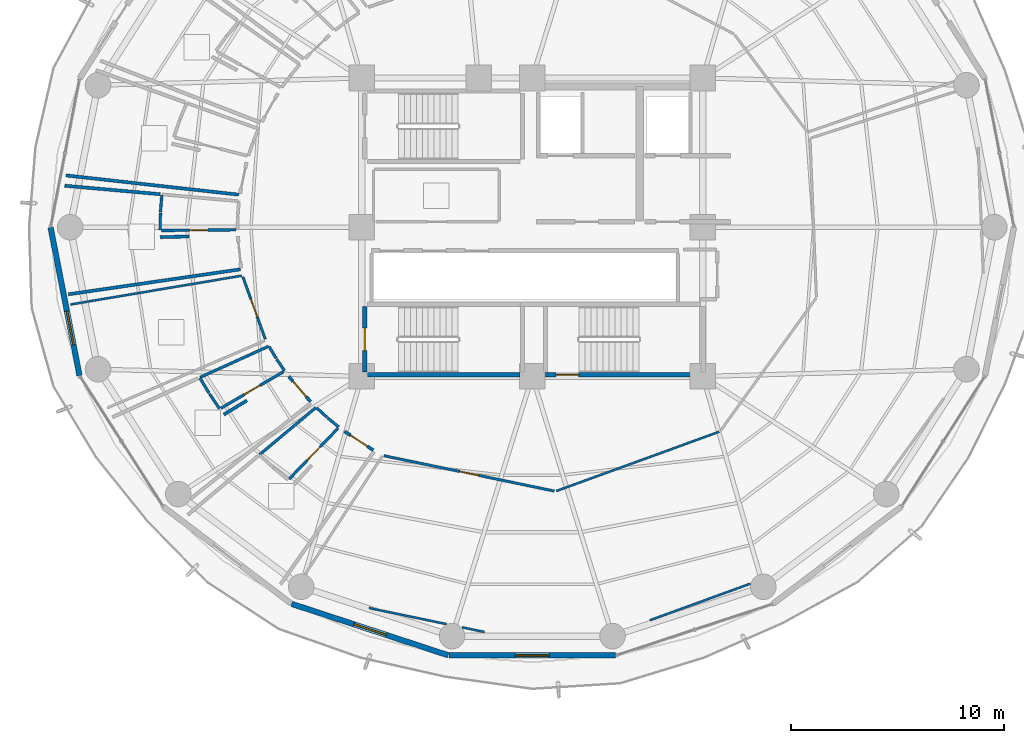
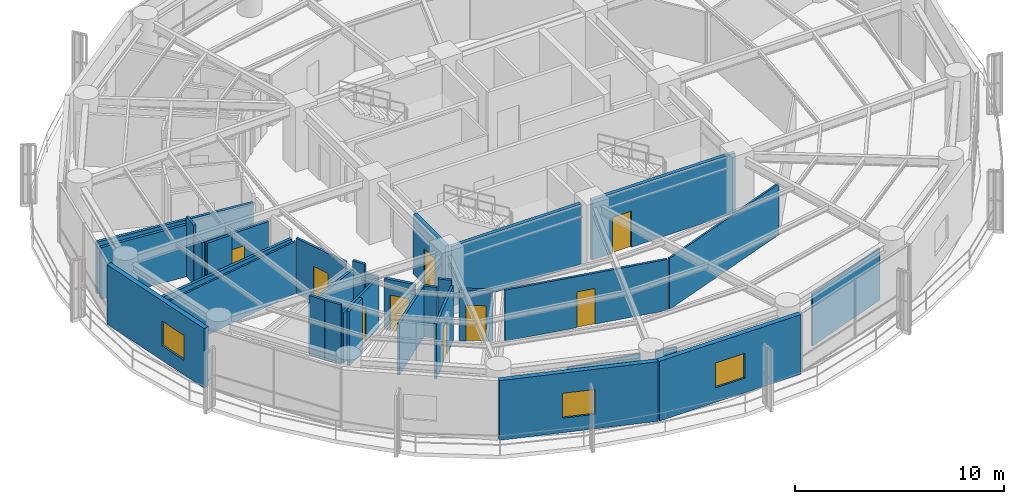
# One storey, part 21 of 27: 33 walls, 9 doors, 3 windows, 12 openings.
"""IFC4 building model written with IfcOpenShell, lengths in metres."""

import ifcopenshell
import ifcopenshell.guid

model = None  # the IFC model being written
_history = None  # IfcOwnerHistory: only IFC2X3 demands one
_inside = {}  # id of a spatial element -> (the spatial element, [elements in it])
_under = {}  # id of a project, library or spatial element -> (it, [spatial elements below it])
_declared = {}  # id of a project -> (the project, [libraries it declares])
_typed = {}  # id of a type object -> (the type object, [elements of that type])
_made_of = {}  # id of a material, layer set ... -> (it, [elements and type objects made of it])


def new_model(schema):
    """Start an empty IFC model of exactly this schema.

    Asked for "IFC4X3", IfcOpenShell would pick the latest addendum, in which some entities
    have other attributes; the version numbers below select the first issue.
    IFC2X3 requires an IfcOwnerHistory on every rooted entity: one is made here for all.
    """
    global model, _history
    if schema == "IFC4X3":
        model = ifcopenshell.file(schema_version=(4, 3, 0, 0))
    else:
        model = ifcopenshell.file(schema=schema)
    _inside.clear()
    _under.clear()
    _declared.clear()
    _typed.clear()
    _made_of.clear()
    _history = None
    if model.schema == "IFC2X3":
        org = make("IfcOrganization", Name="unknown")
        user = make(
            "IfcPersonAndOrganization",
            ThePerson=make("IfcPerson", FamilyName="unknown"),
            TheOrganization=org,
        )
        app = make(
            "IfcApplication",
            ApplicationDeveloper=org,
            Version="unknown",
            ApplicationFullName="unknown",
            ApplicationIdentifier="unknown",
        )
        _history = make(
            "IfcOwnerHistory",
            OwningUser=user,
            OwningApplication=app,
            ChangeAction="ADDED",
            CreationDate=0,
        )
    return model


def make(cls, **values):
    """One entity of the class cls with the attributes given. An attribute that is None is left unset."""
    return model.create_entity(
        cls, **{name: value for name, value in values.items() if value is not None}
    )


def rooted(cls, **values):
    """An entity with a GlobalId (a new one), such as an element, a storey or a relation."""
    return make(cls, GlobalId=ifcopenshell.guid.new(), OwnerHistory=_history, **values)


def si_unit(unit_type, name, prefix=None):
    """IfcSIUnit, for example si_unit("LENGTHUNIT", "METRE", prefix="MILLI")."""
    return make("IfcSIUnit", UnitType=unit_type, Prefix=prefix, Name=name)


def assignment(units):
    """IfcUnitAssignment: the units of a project."""
    return None if units is None else make("IfcUnitAssignment", Units=units)


def point(xyz):
    """IfcCartesianPoint."""
    return None if xyz is None else make("IfcCartesianPoint", Coordinates=xyz)


def direction(xyz):
    """IfcDirection."""
    return None if xyz is None else make("IfcDirection", DirectionRatios=xyz)


def frame(location, z_axis=None, x_axis=None):
    """IfcAxis2Placement3D, a coordinate frame: its origin and axes. An axis left out is left unset."""
    return make(
        "IfcAxis2Placement3D",
        Location=point(location),
        Axis=direction(z_axis),
        RefDirection=direction(x_axis),
    )


def frame_2d(location, x_axis=None):
    """IfcAxis2Placement2D, a coordinate frame in the plane: its origin and x axis."""
    return make(
        "IfcAxis2Placement2D", Location=point(location), RefDirection=direction(x_axis)
    )


def origin():
    """The frame at (0, 0, 0) with its axes left unset."""
    return frame((0.0, 0.0, 0.0))


def place(relative_to, where):
    """IfcLocalPlacement: puts the frame where relative to a parent placement (None: the world)."""
    return make(
        "IfcLocalPlacement", PlacementRelTo=relative_to, RelativePlacement=where
    )


def context(
    kind, dimensions, precision=None, world=None, true_north=None, identifier=None
):
    """IfcGeometricRepresentationContext, for example the 3D "Model" context."""
    return make(
        "IfcGeometricRepresentationContext",
        ContextIdentifier=identifier,
        ContextType=kind,
        CoordinateSpaceDimension=dimensions,
        Precision=precision,
        WorldCoordinateSystem=world,
        TrueNorth=true_north,
    )


def subcontext(parent, identifier, kind, view, scale=None):
    """IfcGeometricRepresentationSubContext, for example "Body" below "Model"."""
    return make(
        "IfcGeometricRepresentationSubContext",
        ContextIdentifier=identifier,
        ContextType=kind,
        ParentContext=parent,
        TargetScale=scale,
        TargetView=view,
    )


def project(units=None, contexts=None):
    """IfcProject with its units and contexts."""
    return rooted(
        "IfcProject",
        Name="project",
        RepresentationContexts=contexts,
        UnitsInContext=assignment(units),
    )


def spatial(cls, under=None, at=None, **own):
    """A site, building, storey or space (cls), placed at a placement, below another one or the project."""
    s = rooted(cls, ObjectPlacement=at, **own)
    if under is not None:
        _under.setdefault(under.id(), (under, []))[1].append(s)
    return s


def profile(cls, at=None, kind="AREA", **sizes):
    """A parametric profile (cls). Its sizes go by their IFC names, for example OverallWidth=200.0."""
    return make(cls, ProfileType=kind, Position=at, **sizes)


def rectangle(**sizes):
    """IfcRectangleProfileDef."""
    return profile("IfcRectangleProfileDef", **sizes)


def extrude(swept, where, along, depth):
    """IfcExtrudedAreaSolid: the profile swept, set in the frame where, extruded along a direction by depth."""
    return make(
        "IfcExtrudedAreaSolid",
        SweptArea=swept,
        Position=where,
        ExtrudedDirection=direction(along),
        Depth=depth,
    )


def shape(context_of_items, identifier, shape_type, items):
    """IfcShapeRepresentation: the items that make up one representation, for example the "Body"."""
    return make(
        "IfcShapeRepresentation",
        ContextOfItems=context_of_items,
        RepresentationIdentifier=identifier,
        RepresentationType=shape_type,
        Items=items,
    )


def material(Name=None, Category=None):
    """IfcMaterial."""
    return make("IfcMaterial", Name=Name, Category=Category)


def layer(
    of_material, thickness, ventilated=None, Name=None, Category=None, Priority=None
):
    """IfcMaterialLayer: one layer of a wall or slab, of a material (None: an air gap)."""
    return make(
        "IfcMaterialLayer",
        Material=of_material,
        LayerThickness=thickness,
        IsVentilated=ventilated,
        Name=Name,
        Category=Category,
        Priority=Priority,
    )


def layer_set(layers, Name=None):
    """IfcMaterialLayerSet."""
    return make("IfcMaterialLayerSet", MaterialLayers=layers, LayerSetName=Name)


def made_of(thing, what):
    """Note that an element or type object is made of a material, layer set ...; save() writes the relation."""
    if what is not None:
        _made_of.setdefault(what.id(), (what, []))[1].append(thing)
    return thing


def type_object(cls, material=None, **own):
    """A type object (cls), such as IfcWallType, which elements share."""
    return made_of(rooted(cls, **own), material)


def element(
    cls,
    number,
    at=None,
    inside=None,
    cuts=None,
    type_object=None,
    material=None,
    context=None,
    identifier="Body",
    shape_type=None,
    held_by="IfcProductDefinitionShape",
    body=None,
    shapes=None,
    **own,
):
    """One element of the class cls, such as IfcWall. Its Tag is "e" and its number.

    at: its placement. inside: the storey or other place that contains it. cuts: it is an
    opening in that element (IfcRelVoidsElement). A single representation is given by context,
    identifier, shape_type and body (its items); several are given by shapes. held_by: the class
    of the entity that holds the representations. save() writes the other relations.
    """
    e = rooted(cls, Tag="e%d" % number, ObjectPlacement=at, **own)
    if body is not None:
        shapes = [shape(context, identifier, shape_type, body)]
    if shapes is not None:
        e.Representation = make(held_by, Representations=shapes)
    if inside is not None:
        _inside.setdefault(inside.id(), (inside, []))[1].append(e)
    if cuts is not None:
        rooted(
            "IfcRelVoidsElement", RelatingBuildingElement=cuts, RelatedOpeningElement=e
        )
    if type_object is not None:
        _typed.setdefault(type_object.id(), (type_object, []))[1].append(e)
    return made_of(e, material)


def fill(opening, filler):
    """IfcRelFillsElement: the door or window that sits in an opening."""
    return rooted(
        "IfcRelFillsElement",
        RelatingOpeningElement=opening,
        RelatedBuildingElement=filler,
    )


def aggregate(whole, parts):
    """IfcRelAggregates: a whole, such as a stair, and the parts it consists of."""
    return rooted("IfcRelAggregates", RelatingObject=whole, RelatedObjects=parts)


def save(model, path):
    """Write the relations noted so far, then the file.

    IfcRelAggregates (storeys below a building ...), IfcRelContainedInSpatialStructure (elements
    in a storey), IfcRelDefinesByType, IfcRelAssociatesMaterial and IfcRelDeclares: one each for
    every whole, place, type object, material and project.
    """
    for whole, parts in _under.values():
        aggregate(whole, parts)
    for where, things in _inside.values():
        rooted(
            "IfcRelContainedInSpatialStructure",
            RelatedElements=things,
            RelatingStructure=where,
        )
    for kind, things in _typed.values():
        rooted("IfcRelDefinesByType", RelatedObjects=things, RelatingType=kind)
    for what, things in _made_of.values():
        rooted("IfcRelAssociatesMaterial", RelatedObjects=things, RelatingMaterial=what)
    for by, libraries in _declared.values():
        rooted("IfcRelDeclares", RelatingContext=by, RelatedDefinitions=libraries)
    model.write(path)


model = new_model("IFC4")

# Units and contexts
model_context = context("Model", 3, precision=1e-05, world=origin(), true_north=direction((0.0, 1.0)))
body_context = subcontext(model_context, "Body", "Model", "MODEL_VIEW")
ifc_project = project(units=[si_unit("LENGTHUNIT", "METRE"), si_unit("AREAUNIT", "SQUARE_METRE"), si_unit("VOLUMEUNIT", "CUBIC_METRE"), si_unit("PLANEANGLEUNIT", "RADIAN"), si_unit("MASSUNIT", "GRAM", prefix="KILO")], contexts=[model_context])

# Site, building, storey
site_placement = place(None, origin())
site = spatial("IfcSite", under=ifc_project, at=site_placement, CompositionType="ELEMENT")
building_placement = place(site_placement, origin())
building = spatial("IfcBuilding", under=site, at=building_placement, Name="Kelanora Arch Commons", CompositionType="ELEMENT")
storey_placement = place(building_placement, frame((0.0, 0.0, 173.10009765625)))
storey = spatial("IfcBuildingStorey", under=building, at=storey_placement, Name="L44", CompositionType="ELEMENT", Elevation=173.10009765625)

# Wall, opening, door
ifc_material_1 = material(Name="Autoclaved aerated concrete blockwork with fire plaster", Category="masonry")
ifc_layer_1 = layer(ifc_material_1, 0.14990234375)
ifc_layer_set_1 = layer_set([ifc_layer_1], Name="Autoclaved aerated concrete blockwork with fire plaster")
wall_type_1 = type_object("IfcWallType", Name="W-COMP-150", PredefinedType="PARTITIONING", material=ifc_layer_set_1)
wall_1_placement = place(storey_placement, frame((62.5771484375, 50.99853515625, 0.0), z_axis=(0.0, 0.0, 1.0), x_axis=(0.652725635782, -0.757594379859, 0.0)))
wall_1 = element("IfcWall", 1, at=wall_1_placement, inside=storey, type_object=wall_type_1, Name="Cluster Bedroom L44-06 Entry Partition", PredefinedType="PARTITIONING", context=body_context, shape_type="SweptSolid", body=[
    extrude(rectangle(XDim=1.557373046875, YDim=0.14990234375, at=frame_2d((0.77880859375, 0.0))), origin(), (0.0, 0.0, 1.0), 2.974853515625),
])
opening_1_placement = place(wall_1_placement, frame((0.303955078125, 0.0, 0.0)))
opening_1 = element("IfcOpeningElement", 2, at=opening_1_placement, cuts=wall_1, Name="Opening D-CLU1", PredefinedType="OPENING", context=body_context, shape_type="SweptSolid", body=[
    extrude(rectangle(XDim=0.949951171875, YDim=2.080078125, at=frame_2d((0.47509765625, 1.0400390625))), frame((0.0, 0.0849609375, 0.0), z_axis=(0.0, -1.0, 0.0), x_axis=(1.0, 0.0, 0.0)), (0.0, 0.0, 1.0), 0.169921875),
])
ifc_material_2 = material(Name="Solid-core acoustic timber cluster entry fire door", Category="wood")
door_type_1 = type_object("IfcDoorType", Name="D-CLU-95", OperationType="NOTDEFINED", PredefinedType="DOOR", material=ifc_material_2)
door_1_placement = place(opening_1_placement, origin())
door_1 = element("IfcDoor", 3, at=door_1_placement, inside=storey, type_object=door_type_1, Name="Cluster Bedroom L44-06 Door", OperationType="SINGLE_SWING_RIGHT", OverallHeight=2.080078125, OverallWidth=0.949951171875, PredefinedType="DOOR", context=body_context, shape_type="SweptSolid", body=[
    extrude(rectangle(XDim=0.949951171875, YDim=2.080078125, at=frame_2d((0.47509765625, 1.0400390625))), frame((0.0, 0.02490234375, 0.0), z_axis=(0.0, -1.0, 0.0), x_axis=(1.0, 0.0, 0.0)), (0.0, 0.0, 1.0), 0.050048828125),
])
fill(opening_1, door_1)

wall_2_placement = place(storey_placement, frame((65.1953125, 48.419189453125, 0.0), z_axis=(0.0, 0.0, 1.0), x_axis=(0.836324272787, -0.548235087118, 0.0)))
wall_2 = element("IfcWall", 4, at=wall_2_placement, inside=storey, type_object=wall_type_1, Name="Cluster Bedroom L44-07 Entry Partition", PredefinedType="PARTITIONING", context=body_context, shape_type="SweptSolid", body=[
    extrude(rectangle(XDim=1.607666015625, YDim=0.14990234375, at=frame_2d((0.8037109375, 0.0))), origin(), (0.0, 0.0, 1.0), 2.974853515625),
])
opening_2_placement = place(wall_2_placement, frame((0.3291015625, 0.0, 0.0)))
opening_2 = element("IfcOpeningElement", 5, at=opening_2_placement, cuts=wall_2, Name="Opening D-CLU1", PredefinedType="OPENING", context=body_context, shape_type="SweptSolid", body=[
    extrude(rectangle(XDim=0.949951171875, YDim=2.080078125, at=frame_2d((0.47509765625, 1.0400390625))), frame((0.0, 0.0849609375, 0.0), z_axis=(0.0, -1.0, 0.0), x_axis=(1.0, 0.0, 0.0)), (0.0, 0.0, 1.0), 0.169921875),
])
door_2_placement = place(opening_2_placement, origin())
door_2 = element("IfcDoor", 6, at=door_2_placement, inside=storey, type_object=door_type_1, Name="Cluster Bedroom L44-07 Door", OperationType="SINGLE_SWING_RIGHT", OverallHeight=2.080078125, OverallWidth=0.949951171875, PredefinedType="DOOR", context=body_context, shape_type="SweptSolid", body=[
    extrude(rectangle(XDim=0.949951171875, YDim=2.080078125, at=frame_2d((0.47509765625, 1.0400390625))), frame((0.0, 0.02490234375, 0.0), z_axis=(0.0, -1.0, 0.0), x_axis=(1.0, 0.0, 0.0)), (0.0, 0.0, 1.0), 0.050048828125),
])
fill(opening_2, door_2)

# Walls
wall_3_placement = place(storey_placement, frame((60.234130859375, 59.525390625, 0.0), z_axis=(0.0, 0.0, 1.0), x_axis=(-0.99385157858, 0.110720548017, 0.0)))
element("IfcWall", 7, at=wall_3_placement, inside=storey, type_object=wall_type_1, Name="Cluster Bedroom L44-03 Enclosure Partition 2", PredefinedType="PARTITIONING", context=body_context, shape_type="SweptSolid", body=[
    extrude(rectangle(XDim=8.158447265625, YDim=0.14990234375, at=frame_2d((4.0791015625, 0.0))), origin(), (0.0, 0.0, 1.0), 3.02490234375),
])
wall_4_placement = place(storey_placement, frame((60.305419921875, 56.022216796875, 0.0), z_axis=(0.0, 0.0, 1.0), x_axis=(-0.989635565405, -0.143601698061, 0.0)))
element("IfcWall", 8, at=wall_4_placement, inside=storey, type_object=wall_type_1, Name="Cluster Bedroom L44-04 Enclosure Partition 2", PredefinedType="PARTITIONING", context=body_context, shape_type="SweptSolid", body=[
    extrude(rectangle(XDim=8.150390625, YDim=0.14990234375, at=frame_2d((4.0751953125, 0.0))), origin(), (0.0, 0.0, 1.0), 3.02490234375),
])
wall_5_placement = place(storey_placement, frame((52.06591796875, 59.946533203125, 0.0), z_axis=(0.0, 0.0, 1.0), x_axis=(0.996054097512, -0.088748153952, 0.0)))
element("IfcWall", 9, at=wall_5_placement, inside=storey, type_object=wall_type_1, Name="Cluster Bedroom L44-04 Enclosure Partition 5", PredefinedType="PARTITIONING", context=body_context, shape_type="SweptSolid", body=[
    extrude(rectangle(XDim=4.4951171875, YDim=0.14990234375, at=frame_2d((2.24755859375, 0.0))), origin(), (0.0, 0.0, 1.0), 3.02490234375),
])
wall_6_placement = place(storey_placement, frame((56.547119140625, 57.530029296875, 0.0), z_axis=(0.0, 0.0, 1.0), x_axis=(0.999637471643, 0.026924436601, 0.0)))
element("IfcWall", 10, at=wall_6_placement, inside=storey, type_object=wall_type_1, Name="Cluster Bedroom L44-04 Enclosure Partition 7", PredefinedType="PARTITIONING", context=body_context, shape_type="SweptSolid", body=[
    extrude(rectangle(XDim=1.35107421875, YDim=0.14990234375, at=frame_2d((0.675537109375, 0.0))), origin(), (0.0, 0.0, 1.0), 3.1748046875),
])
wall_7_placement = place(storey_placement, frame((59.5302734375, 49.209716796875, 0.0), z_axis=(0.0, 0.0, 1.0), x_axis=(0.853704464487, 0.520757801012, 0.0)))
element("IfcWall", 11, at=wall_7_placement, inside=storey, type_object=wall_type_1, Name="Cluster Bedroom L44-06 Enclosure Partition 7", PredefinedType="PARTITIONING", context=body_context, shape_type="SweptSolid", body=[
    extrude(rectangle(XDim=1.27001953125, YDim=0.14990234375, at=frame_2d((0.635009765625, 0.0))), origin(), (0.0, 0.0, 1.0), 3.1748046875),
])

# Wall, opening, window
ifc_material_3 = material(Name="Precast concrete C40/50 with terracotta rainscreen", Category="masonry")
ifc_layer_2 = layer(ifc_material_3, 0.260009765625)
ifc_layer_set_2 = layer_set([ifc_layer_2], Name="Precast concrete C40/50 with terracotta rainscreen")
wall_type_2 = type_object("IfcWallType", Name="W-EXT-TC", PredefinedType="SOLIDWALL", material=ifc_layer_set_2)
wall_8_placement = place(storey_placement, frame((51.40283203125, 57.9853515625, 0.0), z_axis=(0.0, 0.0, 1.0), x_axis=(0.191716984769, -0.981450252306, 0.0)))
wall_8 = element("IfcWall", 12, at=wall_8_placement, inside=storey, type_object=wall_type_2, Name="Terracotta Exterior Wall L44-B09", PredefinedType="SOLIDWALL", context=body_context, shape_type="SweptSolid", body=[
    extrude(rectangle(XDim=7.0791015625, YDim=0.260009765625, at=frame_2d((3.53955078125, 0.0))), origin(), (0.0, 0.0, 1.0), 3.474853515625),
])
opening_3_placement = place(wall_8_placement, frame((4.0, 0.0, 0.85009765625)))
opening_3 = element("IfcOpeningElement", 13, at=opening_3_placement, cuts=wall_8, Name="Opening WN-01", PredefinedType="OPENING", context=body_context, shape_type="SweptSolid", body=[
    extrude(rectangle(XDim=1.60009765625, YDim=1.449951171875, at=frame_2d((0.800048828125, 0.72509765625))), frame((0.0, 0.14013671875, 0.0), z_axis=(0.0, -1.0, 0.0), x_axis=(1.0, 0.0, 0.0)), (0.0, 0.0, 1.0), 0.280029296875),
])
ifc_material_4 = material(Name="Terracotta-anodised aluminium frame with operable low-E glazing", Category="masonry")
window_type = type_object("IfcWindowType", Name="WIN-CL-18", PartitioningType="DOUBLE_PANEL_VERTICAL", PredefinedType="WINDOW", material=ifc_material_4)
window_1_placement = place(opening_3_placement, origin())
window_1 = element("IfcWindow", 14, at=window_1_placement, inside=storey, type_object=window_type, Name="Co-Living Operable Window L44-B09", OverallHeight=1.449951171875, OverallWidth=1.60009765625, PartitioningType="SINGLE_PANEL", PredefinedType="WINDOW", context=body_context, shape_type="SweptSolid", body=[
    extrude(rectangle(XDim=1.60009765625, YDim=1.449951171875, at=frame_2d((0.800048828125, 0.72509765625))), frame((0.0, 0.030029296875, 0.0), z_axis=(0.0, -1.0, 0.0), x_axis=(1.0, 0.0, 0.0)), (0.0, 0.0, 1.0), 0.06005859375),
])
fill(opening_3, window_1)

wall_9_placement = place(storey_placement, frame((62.71435546875, 40.328369140625, 0.0), z_axis=(0.0, 0.0, 1.0), x_axis=(0.950038302428, -0.312133343173, 0.0)))
wall_9 = element("IfcWall", 15, at=wall_9_placement, inside=storey, type_object=wall_type_2, Name="Terracotta Exterior Wall L44-B12", PredefinedType="SOLIDWALL", context=body_context, shape_type="SweptSolid", body=[
    extrude(rectangle(XDim=7.7333984375, YDim=0.260009765625, at=frame_2d((3.86669921875, 0.0))), origin(), (0.0, 0.0, 1.0), 3.474853515625),
])
opening_4_placement = place(wall_9_placement, frame((3.06689453125, 0.0, 0.85009765625)))
opening_4 = element("IfcOpeningElement", 16, at=opening_4_placement, cuts=wall_9, Name="Opening WN-01", PredefinedType="OPENING", context=body_context, shape_type="SweptSolid", body=[
    extrude(rectangle(XDim=1.60009765625, YDim=1.449951171875, at=frame_2d((0.800048828125, 0.72509765625))), frame((0.0, 0.14013671875, 0.0), z_axis=(0.0, -1.0, 0.0), x_axis=(1.0, 0.0, 0.0)), (0.0, 0.0, 1.0), 0.280029296875),
])
window_2_placement = place(opening_4_placement, origin())
window_2 = element("IfcWindow", 17, at=window_2_placement, inside=storey, type_object=window_type, Name="Co-Living Operable Window L44-B12", OverallHeight=1.449951171875, OverallWidth=1.60009765625, PartitioningType="SINGLE_PANEL", PredefinedType="WINDOW", context=body_context, shape_type="SweptSolid", body=[
    extrude(rectangle(XDim=1.60009765625, YDim=1.449951171875, at=frame_2d((0.800048828125, 0.72509765625))), frame((0.0, 0.030029296875, 0.0), z_axis=(0.0, -1.0, 0.0), x_axis=(1.0, 0.0, 0.0)), (0.0, 0.0, 1.0), 0.06005859375),
])
fill(opening_4, window_2)

wall_10_placement = place(storey_placement, frame((70.090576171875, 37.909912109375, 0.0), z_axis=(0.0, 0.0, 1.0), x_axis=(1.0, 0.0, 0.0)))
wall_10 = element("IfcWall", 18, at=wall_10_placement, inside=storey, type_object=wall_type_2, Name="Terracotta Exterior Wall L44-B13", PredefinedType="SOLIDWALL", context=body_context, shape_type="SweptSolid", body=[
    extrude(rectangle(XDim=7.81884765625, YDim=0.260009765625, at=frame_2d((3.909423828125, 0.0))), origin(), (0.0, 0.0, 1.0), 3.474853515625),
])
opening_5_placement = place(wall_10_placement, frame((3.10888671875, 0.0, 0.85009765625)))
opening_5 = element("IfcOpeningElement", 19, at=opening_5_placement, cuts=wall_10, Name="Opening WN-01", PredefinedType="OPENING", context=body_context, shape_type="SweptSolid", body=[
    extrude(rectangle(XDim=1.60009765625, YDim=1.449951171875, at=frame_2d((0.800048828125, 0.72509765625))), frame((0.0, 0.14013671875, 0.0), z_axis=(0.0, -1.0, 0.0), x_axis=(1.0, 0.0, 0.0)), (0.0, 0.0, 1.0), 0.280029296875),
])
window_3_placement = place(opening_5_placement, origin())
window_3 = element("IfcWindow", 20, at=window_3_placement, inside=storey, type_object=window_type, Name="Co-Living Operable Window L44-B13", OverallHeight=1.449951171875, OverallWidth=1.60009765625, PartitioningType="SINGLE_PANEL", PredefinedType="WINDOW", context=body_context, shape_type="SweptSolid", body=[
    extrude(rectangle(XDim=1.60009765625, YDim=1.449951171875, at=frame_2d((0.800048828125, 0.72509765625))), frame((0.0, 0.030029296875, 0.0), z_axis=(0.0, -1.0, 0.0), x_axis=(1.0, 0.0, 0.0)), (0.0, 0.0, 1.0), 0.06005859375),
])
fill(opening_5, window_3)

# Walls
ifc_material_5 = material(Name="Lightweight fire-rated acoustic stud partition")
ifc_layer_3 = layer(ifc_material_5, 0.10009765625)
ifc_layer_set_3 = layer_set([ifc_layer_3], Name="Lightweight fire-rated acoustic stud partition")
wall_type_3 = type_object("IfcWallType", Name="W-PART-100", PredefinedType="PARTITIONING", material=ifc_layer_set_3)
wall_11_placement = place(storey_placement, frame((75.128662109375, 45.622802734375, 0.0), z_axis=(0.0, 0.0, 1.0), x_axis=(0.939734662541, 0.341904612458, 0.0)))
element("IfcWall", 21, at=wall_11_placement, inside=storey, type_object=wall_type_3, Name="South-East Shared Study Commons L44 Enclosure Partition 2", PredefinedType="PARTITIONING", context=body_context, shape_type="SweptSolid", body=[
    extrude(rectangle(XDim=8.129638671875, YDim=0.10009765625, at=frame_2d((4.06494140625, 0.0))), origin(), (0.0, 0.0, 1.0), 2.974853515625),
])
wall_12_placement = place(storey_placement, frame((84.232421875, 41.2763671875, 0.0), z_axis=(0.0, 0.0, 1.0), x_axis=(-0.939540154598, -0.34243875058, 0.0)))
element("IfcWall", 22, at=wall_12_placement, inside=storey, type_object=wall_type_3, Name="South-East Shared Study Commons L44 Enclosure Partition 8", PredefinedType="PARTITIONING", context=body_context, shape_type="SweptSolid", body=[
    extrude(rectangle(XDim=5.014892578125, YDim=0.10009765625, at=frame_2d((2.50732421875, 0.0))), origin(), (0.0, 0.0, 1.0), 3.02490234375),
])
wall_13_placement = place(storey_placement, frame((71.762939453125, 39.00830078125, 0.0), z_axis=(0.0, 0.0, 1.0), x_axis=(-0.9791024376, 0.203367688401, 0.0)))
element("IfcWall", 23, at=wall_13_placement, inside=storey, type_object=wall_type_3, Name="South-East Shared Study Commons L44 Enclosure Partition 9", PredefinedType="PARTITIONING", context=body_context, shape_type="SweptSolid", body=[
    extrude(rectangle(XDim=1.080322265625, YDim=0.10009765625, at=frame_2d((0.5400390625, 0.0))), origin(), (0.0, 0.0, 1.0), 3.02490234375),
])
wall_14_placement = place(storey_placement, frame((69.968505859375, 39.381103515625, 0.0), z_axis=(0.0, 0.0, 1.0), x_axis=(-0.979112814655, 0.203317722241, 0.0)))
element("IfcWall", 24, at=wall_14_placement, inside=storey, type_object=wall_type_3, Name="South-East Shared Study Commons L44 Enclosure Partition 9", PredefinedType="PARTITIONING", context=body_context, shape_type="SweptSolid", body=[
    extrude(rectangle(XDim=3.706787109375, YDim=0.10009765625, at=frame_2d((1.853515625, 0.0))), origin(), (0.0, 0.0, 1.0), 3.02490234375),
])
wall_15_placement = place(storey_placement, frame((52.331298828125, 54.37353515625, 0.0), z_axis=(0.0, 0.0, 1.0), x_axis=(0.986190638786, 0.165614081438, 0.0)))
element("IfcWall", 25, at=wall_15_placement, inside=storey, type_object=wall_type_3, Name="Shared Cluster Kitchen L44-05 Enclosure Partition 4", PredefinedType="PARTITIONING", context=body_context, shape_type="SweptSolid", body=[
    extrude(rectangle(XDim=8.144775390625, YDim=0.10009765625, at=frame_2d((4.072265625, 0.0))), origin(), (0.0, 0.0, 1.0), 3.02490234375),
])

# Wall, opening, door
ifc_material_6 = material(Name="Acoustic twin-stud fire-rated gypsum partition")
ifc_layer_4 = layer(ifc_material_6, 0.1201171875)
ifc_layer_set_4 = layer_set([ifc_layer_4], Name="Acoustic twin-stud fire-rated gypsum partition")
wall_type_4 = type_object("IfcWallType", Name="W-PART-120", PredefinedType="PARTITIONING", material=ifc_layer_set_4)
wall_16_placement = place(storey_placement, frame((67.039794921875, 47.27783203125, 0.0), z_axis=(0.0, 0.0, 1.0), x_axis=(0.979184226645, -0.202973521154, 0.0)))
wall_16 = element("IfcWall", 26, at=wall_16_placement, inside=storey, type_object=wall_type_4, Name="South-East Shared Study Commons L44 Entry Partition", PredefinedType="PARTITIONING", context=body_context, shape_type="SweptSolid", body=[
    extrude(rectangle(XDim=8.162353515625, YDim=0.1201171875, at=frame_2d((4.0810546875, 0.0))), origin(), (0.0, 0.0, 1.0), 2.974853515625),
])
opening_6_placement = place(wall_16_placement, frame((3.631103515625, 0.0, 0.0)))
opening_6 = element("IfcOpeningElement", 27, at=opening_6_placement, cuts=wall_16, Name="Opening D-RM1", PredefinedType="OPENING", context=body_context, shape_type="SweptSolid", body=[
    extrude(rectangle(XDim=0.89990234375, YDim=2.080078125, at=frame_2d((0.449951171875, 1.0400390625))), frame((0.0, 0.070068359375, 0.0), z_axis=(0.0, -1.0, 0.0), x_axis=(1.0, 0.0, 0.0)), (0.0, 0.0, 1.0), 0.14013671875),
])
ifc_material_7 = material(Name="Acoustic fire-rated timber study and lounge door", Category="wood")
door_type_2 = type_object("IfcDoorType", Name="D-ROOM-90", OperationType="NOTDEFINED", PredefinedType="DOOR", material=ifc_material_7)
door_3_placement = place(opening_6_placement, origin())
door_3 = element("IfcDoor", 28, at=door_3_placement, inside=storey, type_object=door_type_2, Name="South-East Shared Study Commons L44 Door", OperationType="SINGLE_SWING_RIGHT", OverallHeight=2.080078125, OverallWidth=0.89990234375, PredefinedType="DOOR", context=body_context, shape_type="SweptSolid", body=[
    extrude(rectangle(XDim=0.89990234375, YDim=2.080078125, at=frame_2d((0.449951171875, 1.0400390625))), frame((0.0, 0.02490234375, 0.0), z_axis=(0.0, -1.0, 0.0), x_axis=(1.0, 0.0, 0.0)), (0.0, 0.0, 1.0), 0.050048828125),
])
fill(opening_6, door_3)

wall_17_placement = place(storey_placement, frame((60.42333984375, 55.672607421875, 0.0), z_axis=(0.0, 0.0, 1.0), x_axis=(0.338221551274, -0.941066513193, 0.0)))
wall_17 = element("IfcWall", 29, at=wall_17_placement, inside=storey, type_object=wall_type_4, Name="Shared Cluster Kitchen L44-05 Entry Partition", PredefinedType="PARTITIONING", context=body_context, shape_type="SweptSolid", body=[
    extrude(rectangle(XDim=3.108154296875, YDim=0.1201171875, at=frame_2d((1.55419921875, 0.0))), origin(), (0.0, 0.0, 1.0), 3.23486328125),
])
opening_7_placement = place(wall_17_placement, frame((1.10400390625, 0.0, 0.0)))
opening_7 = element("IfcOpeningElement", 30, at=opening_7_placement, cuts=wall_17, Name="Opening D-RM1", PredefinedType="OPENING", context=body_context, shape_type="SweptSolid", body=[
    extrude(rectangle(XDim=0.89990234375, YDim=2.080078125, at=frame_2d((0.449951171875, 1.0400390625))), frame((0.0, 0.070068359375, 0.0), z_axis=(0.0, -1.0, 0.0), x_axis=(1.0, 0.0, 0.0)), (0.0, 0.0, 1.0), 0.14013671875),
])
door_4_placement = place(opening_7_placement, origin())
door_4 = element("IfcDoor", 31, at=door_4_placement, inside=storey, type_object=door_type_2, Name="Shared Cluster Kitchen L44-05 Door", OperationType="SINGLE_SWING_RIGHT", OverallHeight=2.080078125, OverallWidth=0.89990234375, PredefinedType="DOOR", context=body_context, shape_type="SweptSolid", body=[
    extrude(rectangle(XDim=0.89990234375, YDim=2.080078125, at=frame_2d((0.449951171875, 1.0400390625))), frame((0.0, 0.02490234375, 0.0), z_axis=(0.0, -1.0, 0.0), x_axis=(1.0, 0.0, 0.0)), (0.0, 0.0, 1.0), 0.050048828125),
])
fill(opening_7, door_4)

ifc_material_8 = material(Name="Concrete C40/50", Category="concrete")
ifc_layer_5 = layer(ifc_material_8, 0.199951171875)
ifc_layer_set_5 = layer_set([ifc_layer_5], Name="Concrete C40/50")
wall_type_5 = type_object("IfcWallType", Name="W-STAIR-200", PredefinedType="SHEAR", material=ifc_layer_set_5)
wall_18_placement = place(storey_placement, frame((74.0, 51.080078125, 0.0), z_axis=(0.0, 0.0, 1.0), x_axis=(1.0, 0.0, 0.0)))
wall_18 = element("IfcWall", 32, at=wall_18_placement, inside=storey, type_object=wall_type_5, Name="Stair ST-T2 Shaft Wall S L44", PredefinedType="SHEAR", context=body_context, shape_type="SweptSolid", body=[
    extrude(rectangle(XDim=7.89990234375, YDim=0.199951171875, at=frame_2d((3.949951171875, 0.0))), origin(), (0.0, 0.0, 1.0), 3.489990234375),
])
opening_8_placement = place(wall_18_placement, frame((1.1201171875, 0.0, 0.0)))
opening_8 = element("IfcOpeningElement", 33, at=opening_8_placement, cuts=wall_18, Name="Opening D-ST1", PredefinedType="OPENING", context=body_context, shape_type="SweptSolid", body=[
    extrude(rectangle(XDim=1.050048828125, YDim=2.10009765625, at=frame_2d((0.52490234375, 1.050048828125))), frame((0.0, 0.10986328125, 0.0), z_axis=(0.0, -1.0, 0.0), x_axis=(1.0, 0.0, 0.0)), (0.0, 0.0, 1.0), 0.219970703125),
])
ifc_material_9 = material(Name="Steel fire-rated stairwell escape door", Category="steel")
door_type_3 = type_object("IfcDoorType", Name="D-STAIR-110", OperationType="NOTDEFINED", PredefinedType="DOOR", material=ifc_material_9)
door_5_placement = place(opening_8_placement, origin())
door_5 = element("IfcDoor", 34, at=door_5_placement, inside=storey, type_object=door_type_3, Name="Stair ST-T2 Escape Door L44", OperationType="SINGLE_SWING_LEFT", OverallHeight=2.10009765625, OverallWidth=1.050048828125, PredefinedType="DOOR", context=body_context, shape_type="SweptSolid", body=[
    extrude(rectangle(XDim=1.050048828125, YDim=2.10009765625, at=frame_2d((0.52490234375, 1.050048828125))), frame((0.0, 0.02490234375, 0.0), z_axis=(0.0, -1.0, 0.0), x_axis=(1.0, 0.0, 0.0)), (0.0, 0.0, 1.0), 0.050048828125),
])
fill(opening_8, door_5)

# Wall
wall_19_placement = place(storey_placement, frame((66.260009765625, 51.080078125, 0.0), z_axis=(0.0, 0.0, 1.0), x_axis=(1.0, 0.0, 0.0)))
element("IfcWall", 35, at=wall_19_placement, inside=storey, type_object=wall_type_5, Name="Stair ST-T3 Shaft Wall S L44", PredefinedType="SHEAR", context=body_context, shape_type="SweptSolid", body=[
    extrude(rectangle(XDim=7.159912109375, YDim=0.199951171875, at=frame_2d((3.580078125, 0.0))), origin(), (0.0, 0.0, 1.0), 3.489990234375),
])

# Wall, opening, door
wall_20_placement = place(storey_placement, frame((66.139892578125, 54.27001953125, 0.0), z_axis=(0.0, 0.0, 1.0), x_axis=(0.0, -1.0, 0.0)))
wall_20 = element("IfcWall", 36, at=wall_20_placement, inside=storey, type_object=wall_type_5, Name="Stair ST-T3 Shaft Wall W L44", PredefinedType="SHEAR", context=body_context, shape_type="SweptSolid", body=[
    extrude(rectangle(XDim=3.070068359375, YDim=0.199951171875, at=frame_2d((1.53515625, 0.0))), origin(), (0.0, 0.0, 1.0), 3.489990234375),
])
opening_9_placement = place(wall_20_placement, frame((1.010009765625, 0.0, 0.0)))
opening_9 = element("IfcOpeningElement", 37, at=opening_9_placement, cuts=wall_20, Name="Opening D-ST1", PredefinedType="OPENING", context=body_context, shape_type="SweptSolid", body=[
    extrude(rectangle(XDim=1.050048828125, YDim=2.10009765625, at=frame_2d((0.52490234375, 1.050048828125))), frame((0.0, 0.10986328125, 0.0), z_axis=(0.0, -1.0, 0.0), x_axis=(1.0, 0.0, 0.0)), (0.0, 0.0, 1.0), 0.219970703125),
])
door_6_placement = place(opening_9_placement, origin())
door_6 = element("IfcDoor", 38, at=door_6_placement, inside=storey, type_object=door_type_3, Name="Stair ST-T3 Escape Door L44", OperationType="SINGLE_SWING_LEFT", OverallHeight=2.10009765625, OverallWidth=1.050048828125, PredefinedType="DOOR", context=body_context, shape_type="SweptSolid", body=[
    extrude(rectangle(XDim=1.050048828125, YDim=2.10009765625, at=frame_2d((0.52490234375, 1.050048828125))), frame((0.0, 0.02490234375, 0.0), z_axis=(0.0, -1.0, 0.0), x_axis=(1.0, 0.0, 0.0)), (0.0, 0.0, 1.0), 0.050048828125),
])
fill(opening_9, door_6)

ifc_material_10 = material(Name="Moisture-resistant fire-rated cement-board plumbing wall")
ifc_layer_6 = layer(ifc_material_10, 0.1298828125)
ifc_layer_set_6 = layer_set([ifc_layer_6], Name="Moisture-resistant fire-rated cement-board plumbing wall")
wall_type_6 = type_object("IfcWallType", Name="W-WET-120", PredefinedType="PLUMBINGWALL", material=ifc_layer_set_6)
wall_21_placement = place(storey_placement, frame((60.111083984375, 57.87744140625, 0.0), z_axis=(0.0, 0.0, 1.0), x_axis=(-0.999958513443, -0.009108863449, 0.0)))
wall_21 = element("IfcWall", 39, at=wall_21_placement, inside=storey, type_object=wall_type_6, Name="En-Suite Shower WC L44-04 Entry Partition", PredefinedType="PLUMBINGWALL", context=body_context, shape_type="SweptSolid", body=[
    extrude(rectangle(XDim=3.51123046875, YDim=0.1298828125, at=frame_2d((1.755615234375, 0.0))), origin(), (0.0, 0.0, 1.0), 2.974853515625),
])
opening_10_placement = place(wall_21_placement, frame((1.325927734375, 0.0, 0.0)))
opening_10 = element("IfcOpeningElement", 40, at=opening_10_placement, cuts=wall_21, Name="Opening D-BT1", PredefinedType="OPENING", context=body_context, shape_type="SweptSolid", body=[
    extrude(rectangle(XDim=0.860107421875, YDim=2.050048828125, at=frame_2d((0.43017578125, 1.02490234375))), frame((0.0, 0.074951171875, 0.0), z_axis=(0.0, -1.0, 0.0), x_axis=(1.0, 0.0, 0.0)), (0.0, 0.0, 1.0), 0.14990234375),
])
ifc_material_11 = material(Name="Moisture-sealed fire-rated accessible bathroom door")
door_type_4 = type_object("IfcDoorType", Name="D-BATH-85", OperationType="NOTDEFINED", PredefinedType="DOOR", material=ifc_material_11)
door_7_placement = place(opening_10_placement, origin())
door_7 = element("IfcDoor", 41, at=door_7_placement, inside=storey, type_object=door_type_4, Name="En-Suite Shower WC L44-04 Door", OperationType="SINGLE_SWING_RIGHT", OverallHeight=2.050048828125, OverallWidth=0.860107421875, PredefinedType="DOOR", context=body_context, shape_type="SweptSolid", body=[
    extrude(rectangle(XDim=0.860107421875, YDim=2.050048828125, at=frame_2d((0.43017578125, 1.02490234375))), frame((0.0, 0.02490234375, 0.0), z_axis=(0.0, -1.0, 0.0), x_axis=(1.0, 0.0, 0.0)), (0.0, 0.0, 1.0), 0.050048828125),
])
fill(opening_10, door_7)

wall_22_placement = place(storey_placement, frame((62.333251953125, 51.2216796875, 0.0), z_axis=(0.0, 0.0, 1.0), x_axis=(-0.863869779697, -0.503715201008, 0.0)))
wall_22 = element("IfcWall", 42, at=wall_22_placement, inside=storey, type_object=wall_type_6, Name="En-Suite Shower WC L44-06 Entry Partition", PredefinedType="PLUMBINGWALL", context=body_context, shape_type="SweptSolid", body=[
    extrude(rectangle(XDim=3.40966796875, YDim=0.1298828125, at=frame_2d((1.704833984375, 0.0))), origin(), (0.0, 0.0, 1.0), 2.974853515625),
])
opening_11_placement = place(wall_22_placement, frame((1.27490234375, 0.0, 0.0)))
opening_11 = element("IfcOpeningElement", 43, at=opening_11_placement, cuts=wall_22, Name="Opening D-BT1", PredefinedType="OPENING", context=body_context, shape_type="SweptSolid", body=[
    extrude(rectangle(XDim=0.860107421875, YDim=2.050048828125, at=frame_2d((0.43017578125, 1.02490234375))), frame((0.0, 0.074951171875, 0.0), z_axis=(0.0, -1.0, 0.0), x_axis=(1.0, 0.0, 0.0)), (0.0, 0.0, 1.0), 0.14990234375),
])
door_8_placement = place(opening_11_placement, origin())
door_8 = element("IfcDoor", 44, at=door_8_placement, inside=storey, type_object=door_type_4, Name="En-Suite Shower WC L44-06 Door", OperationType="SINGLE_SWING_LEFT", OverallHeight=2.050048828125, OverallWidth=0.860107421875, PredefinedType="DOOR", context=body_context, shape_type="SweptSolid", body=[
    extrude(rectangle(XDim=0.860107421875, YDim=2.050048828125, at=frame_2d((0.43017578125, 1.02490234375))), frame((0.0, 0.02490234375, 0.0), z_axis=(0.0, -1.0, 0.0), x_axis=(1.0, 0.0, 0.0)), (0.0, 0.0, 1.0), 0.050048828125),
])
fill(opening_11, door_8)

wall_23_placement = place(storey_placement, frame((64.891357421875, 48.57080078125, 0.0), z_axis=(0.0, 0.0, 1.0), x_axis=(-0.69341503006, -0.720538407086, 0.0)))
wall_23 = element("IfcWall", 45, at=wall_23_placement, inside=storey, type_object=wall_type_6, Name="En-Suite Shower WC L44-07 Entry Partition", PredefinedType="PLUMBINGWALL", context=body_context, shape_type="SweptSolid", body=[
    extrude(rectangle(XDim=3.3125, YDim=0.1298828125, at=frame_2d((1.65625, 0.0))), origin(), (0.0, 0.0, 1.0), 3.1748046875),
])
opening_12_placement = place(wall_23_placement, frame((1.22607421875, 0.0, 0.0)))
opening_12 = element("IfcOpeningElement", 46, at=opening_12_placement, cuts=wall_23, Name="Opening D-BT1", PredefinedType="OPENING", context=body_context, shape_type="SweptSolid", body=[
    extrude(rectangle(XDim=0.860107421875, YDim=2.050048828125, at=frame_2d((0.43017578125, 1.02490234375))), frame((0.0, 0.074951171875, 0.0), z_axis=(0.0, -1.0, 0.0), x_axis=(1.0, 0.0, 0.0)), (0.0, 0.0, 1.0), 0.14990234375),
])
door_9_placement = place(opening_12_placement, origin())
door_9 = element("IfcDoor", 47, at=door_9_placement, inside=storey, type_object=door_type_4, Name="En-Suite Shower WC L44-07 Door", OperationType="SINGLE_SWING_LEFT", OverallHeight=2.050048828125, OverallWidth=0.860107421875, PredefinedType="DOOR", context=body_context, shape_type="SweptSolid", body=[
    extrude(rectangle(XDim=0.860107421875, YDim=2.050048828125, at=frame_2d((0.43017578125, 1.02490234375))), frame((0.0, 0.02490234375, 0.0), z_axis=(0.0, -1.0, 0.0), x_axis=(1.0, 0.0, 0.0)), (0.0, 0.0, 1.0), 0.050048828125),
])
fill(opening_12, door_9)

# Walls
wall_24_placement = place(storey_placement, frame((56.540283203125, 57.864990234375, 0.0), z_axis=(0.0, 0.0, 1.0), x_axis=(0.019006825377, 0.999819353978, 0.0)))
element("IfcWall", 48, at=wall_24_placement, inside=storey, type_object=wall_type_6, Name="En-Suite Shower WC L44-04 Enclosure Partition 4", PredefinedType="PLUMBINGWALL", context=body_context, shape_type="SweptSolid", body=[
    extrude(rectangle(XDim=0.809326171875, YDim=0.1298828125, at=frame_2d((0.40478515625, 0.0))), origin(), (0.0, 0.0, 1.0), 2.974853515625),
])
wall_25_placement = place(storey_placement, frame((56.5576171875, 58.7138671875, 0.0), z_axis=(0.0, 0.0, 1.0), x_axis=(0.078797232985, 0.996890664052, 0.0)))
element("IfcWall", 49, at=wall_25_placement, inside=storey, type_object=wall_type_6, Name="En-Suite Shower WC L44-04 Enclosure Partition 5", PredefinedType="PLUMBINGWALL", context=body_context, shape_type="SweptSolid", body=[
    extrude(rectangle(XDim=0.80859375, YDim=0.1298828125, at=frame_2d((0.404296875, 0.0))), origin(), (0.0, 0.0, 1.0), 3.47998046875),
])
wall_26_placement = place(storey_placement, frame((61.6533203125, 52.40087890625, 0.0), z_axis=(0.0, 0.0, 1.0), x_axis=(0.513279564627, -0.858221468233, 0.0)))
element("IfcWall", 50, at=wall_26_placement, inside=storey, type_object=wall_type_6, Name="En-Suite Shower WC L44-06 Enclosure Partition 1", PredefinedType="PLUMBINGWALL", context=body_context, shape_type="SweptSolid", body=[
    extrude(rectangle(XDim=0.649658203125, YDim=0.1298828125, at=frame_2d((0.32470703125, 0.0))), origin(), (0.0, 0.0, 1.0), 3.47998046875),
])
wall_27_placement = place(storey_placement, frame((62.00830078125, 51.809326171875, 0.0), z_axis=(0.0, 0.0, 1.0), x_axis=(0.559954578189, -0.828523307074, 0.0)))
element("IfcWall", 51, at=wall_27_placement, inside=storey, type_object=wall_type_6, Name="En-Suite Shower WC L44-06 Enclosure Partition 2", PredefinedType="PLUMBINGWALL", context=body_context, shape_type="SweptSolid", body=[
    extrude(rectangle(XDim=0.652587890625, YDim=0.1298828125, at=frame_2d((0.326171875, 0.0))), origin(), (0.0, 0.0, 1.0), 2.974853515625),
])
wall_28_placement = place(storey_placement, frame((59.32470703125, 49.490478515625, 0.0), z_axis=(0.0, 0.0, 1.0), x_axis=(-0.560686624686, 0.828028084607, 0.0)))
element("IfcWall", 52, at=wall_28_placement, inside=storey, type_object=wall_type_6, Name="En-Suite Shower WC L44-06 Enclosure Partition 4", PredefinedType="PLUMBINGWALL", context=body_context, shape_type="SweptSolid", body=[
    extrude(rectangle(XDim=0.835693359375, YDim=0.1298828125, at=frame_2d((0.41796875, 0.0))), origin(), (0.0, 0.0, 1.0), 3.47998046875),
])
wall_29_placement = place(storey_placement, frame((58.834716796875, 50.21630859375, 0.0), z_axis=(0.0, 0.0, 1.0), x_axis=(-0.512289710711, 0.858812699196, 0.0)))
element("IfcWall", 53, at=wall_29_placement, inside=storey, type_object=wall_type_6, Name="En-Suite Shower WC L44-06 Enclosure Partition 5", PredefinedType="PLUMBINGWALL", context=body_context, shape_type="SweptSolid", body=[
    extrude(rectangle(XDim=0.83056640625, YDim=0.1298828125, at=frame_2d((0.415283203125, 0.0))), origin(), (0.0, 0.0, 1.0), 3.47998046875),
])
wall_30_placement = place(storey_placement, frame((58.417236328125, 50.955322265625, 0.0), z_axis=(0.0, 0.0, 1.0), x_axis=(0.910753048359, 0.412951431654, 0.0)))
element("IfcWall", 54, at=wall_30_placement, inside=storey, type_object=wall_type_6, Name="En-Suite Shower WC L44-06 Enclosure Partition 6", PredefinedType="PLUMBINGWALL", context=body_context, shape_type="SweptSolid", body=[
    extrude(rectangle(XDim=3.521728515625, YDim=0.1298828125, at=frame_2d((1.7607421875, 0.0))), origin(), (0.0, 0.0, 1.0), 2.974853515625),
])
wall_31_placement = place(storey_placement, frame((63.874755859375, 49.534423828125, 0.0), z_axis=(0.0, 0.0, 1.0), x_axis=(0.736047371117, -0.676930031444, 0.0)))
element("IfcWall", 55, at=wall_31_placement, inside=storey, type_object=wall_type_6, Name="En-Suite Shower WC L44-07 Enclosure Partition 1", PredefinedType="PLUMBINGWALL", context=body_context, shape_type="SweptSolid", body=[
    extrude(rectangle(XDim=0.6689453125, YDim=0.1298828125, at=frame_2d((0.33447265625, 0.0))), origin(), (0.0, 0.0, 1.0), 2.974853515625),
])
wall_32_placement = place(storey_placement, frame((64.3974609375, 49.055419921875, 0.0), z_axis=(0.0, 0.0, 1.0), x_axis=(0.771595512941, -0.636113483908, 0.0)))
element("IfcWall", 56, at=wall_32_placement, inside=storey, type_object=wall_type_6, Name="En-Suite Shower WC L44-07 Enclosure Partition 2", PredefinedType="PLUMBINGWALL", context=body_context, shape_type="SweptSolid", body=[
    extrude(rectangle(XDim=0.674072265625, YDim=0.1298828125, at=frame_2d((0.3369140625, 0.0))), origin(), (0.0, 0.0, 1.0), 3.47998046875),
])
wall_33_placement = place(storey_placement, frame((61.21240234375, 47.333740234375, 0.0), z_axis=(0.0, 0.0, 1.0), x_axis=(0.767100423645, 0.641527037656, 0.0)))
element("IfcWall", 57, at=wall_33_placement, inside=storey, type_object=wall_type_6, Name="En-Suite Shower WC L44-07 Enclosure Partition 6", PredefinedType="PLUMBINGWALL", context=body_context, shape_type="SweptSolid", body=[
    extrude(rectangle(XDim=3.431640625, YDim=0.1298828125, at=frame_2d((1.7158203125, 0.0))), origin(), (0.0, 0.0, 1.0), 2.974853515625),
])

save(model, "model.ifc")
